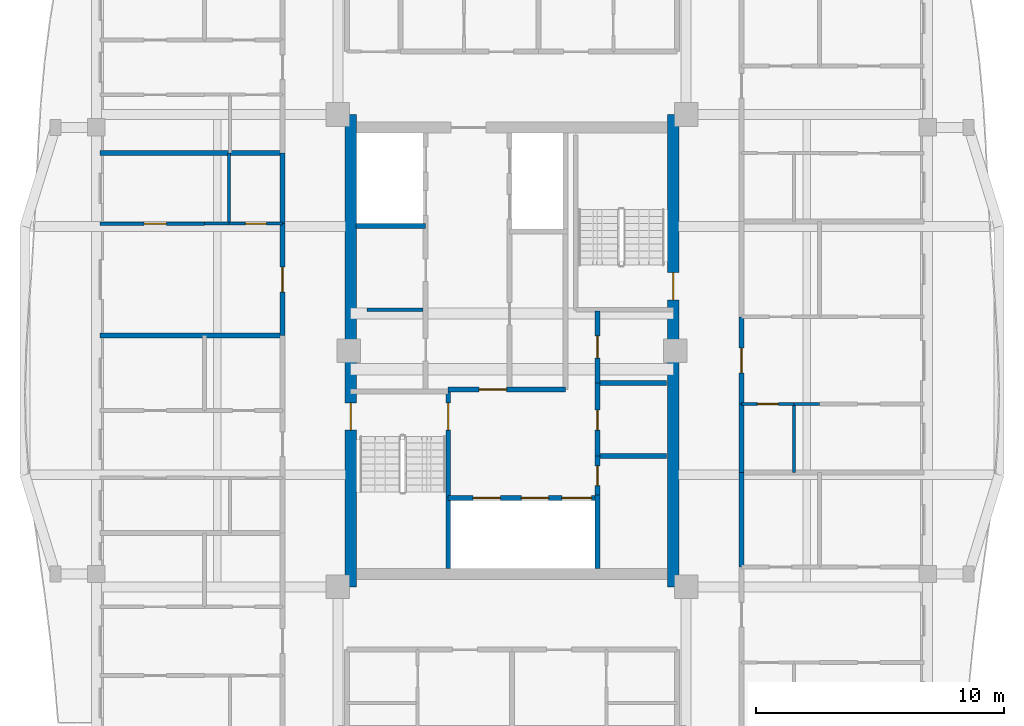
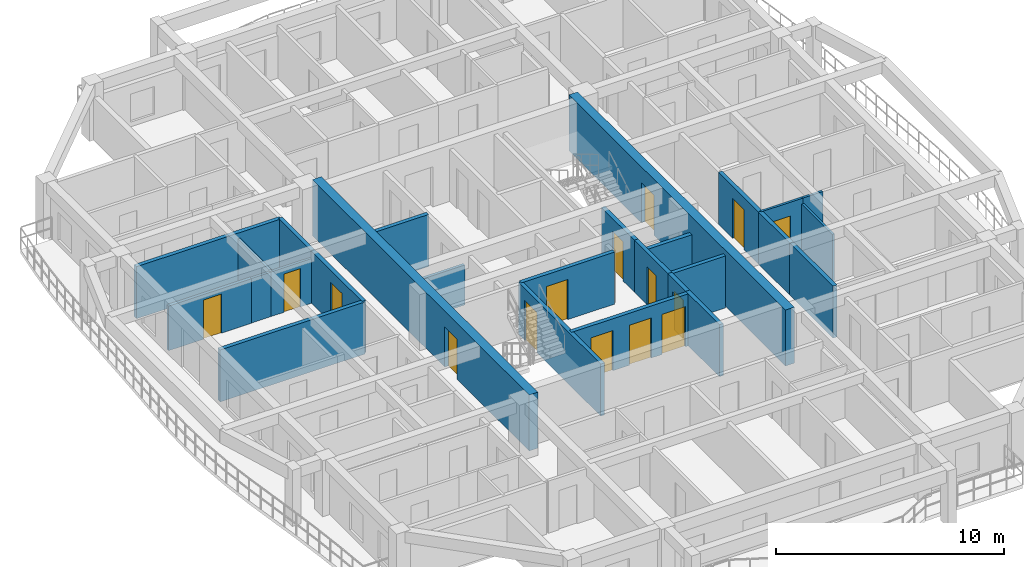
# One storey, part 4 of 14: 27 walls, 15 doors, 15 openings.
"""IFC4 building model written with IfcOpenShell, lengths in metres."""

import ifcopenshell
import ifcopenshell.guid

model = None  # the IFC model being written
_history = None  # IfcOwnerHistory: only IFC2X3 demands one
_inside = {}  # id of a spatial element -> (the spatial element, [elements in it])
_under = {}  # id of a project, library or spatial element -> (it, [spatial elements below it])
_declared = {}  # id of a project -> (the project, [libraries it declares])
_typed = {}  # id of a type object -> (the type object, [elements of that type])
_made_of = {}  # id of a material, layer set ... -> (it, [elements and type objects made of it])


def new_model(schema):
    """Start an empty IFC model of exactly this schema.

    Asked for "IFC4X3", IfcOpenShell would pick the latest addendum, in which some entities
    have other attributes; the version numbers below select the first issue.
    IFC2X3 requires an IfcOwnerHistory on every rooted entity: one is made here for all.
    """
    global model, _history
    if schema == "IFC4X3":
        model = ifcopenshell.file(schema_version=(4, 3, 0, 0))
    else:
        model = ifcopenshell.file(schema=schema)
    _inside.clear()
    _under.clear()
    _declared.clear()
    _typed.clear()
    _made_of.clear()
    _history = None
    if model.schema == "IFC2X3":
        org = make("IfcOrganization", Name="unknown")
        user = make(
            "IfcPersonAndOrganization",
            ThePerson=make("IfcPerson", FamilyName="unknown"),
            TheOrganization=org,
        )
        app = make(
            "IfcApplication",
            ApplicationDeveloper=org,
            Version="unknown",
            ApplicationFullName="unknown",
            ApplicationIdentifier="unknown",
        )
        _history = make(
            "IfcOwnerHistory",
            OwningUser=user,
            OwningApplication=app,
            ChangeAction="ADDED",
            CreationDate=0,
        )
    return model


def make(cls, **values):
    """One entity of the class cls with the attributes given. An attribute that is None is left unset."""
    return model.create_entity(
        cls, **{name: value for name, value in values.items() if value is not None}
    )


def rooted(cls, **values):
    """An entity with a GlobalId (a new one), such as an element, a storey or a relation."""
    return make(cls, GlobalId=ifcopenshell.guid.new(), OwnerHistory=_history, **values)


def si_unit(unit_type, name, prefix=None):
    """IfcSIUnit, for example si_unit("LENGTHUNIT", "METRE", prefix="MILLI")."""
    return make("IfcSIUnit", UnitType=unit_type, Prefix=prefix, Name=name)


def assignment(units):
    """IfcUnitAssignment: the units of a project."""
    return None if units is None else make("IfcUnitAssignment", Units=units)


def point(xyz):
    """IfcCartesianPoint."""
    return None if xyz is None else make("IfcCartesianPoint", Coordinates=xyz)


def direction(xyz):
    """IfcDirection."""
    return None if xyz is None else make("IfcDirection", DirectionRatios=xyz)


def frame(location, z_axis=None, x_axis=None):
    """IfcAxis2Placement3D, a coordinate frame: its origin and axes. An axis left out is left unset."""
    return make(
        "IfcAxis2Placement3D",
        Location=point(location),
        Axis=direction(z_axis),
        RefDirection=direction(x_axis),
    )


def frame_2d(location, x_axis=None):
    """IfcAxis2Placement2D, a coordinate frame in the plane: its origin and x axis."""
    return make(
        "IfcAxis2Placement2D", Location=point(location), RefDirection=direction(x_axis)
    )


def origin():
    """The frame at (0, 0, 0) with its axes left unset."""
    return frame((0.0, 0.0, 0.0))


def place(relative_to, where):
    """IfcLocalPlacement: puts the frame where relative to a parent placement (None: the world)."""
    return make(
        "IfcLocalPlacement", PlacementRelTo=relative_to, RelativePlacement=where
    )


def context(
    kind, dimensions, precision=None, world=None, true_north=None, identifier=None
):
    """IfcGeometricRepresentationContext, for example the 3D "Model" context."""
    return make(
        "IfcGeometricRepresentationContext",
        ContextIdentifier=identifier,
        ContextType=kind,
        CoordinateSpaceDimension=dimensions,
        Precision=precision,
        WorldCoordinateSystem=world,
        TrueNorth=true_north,
    )


def subcontext(parent, identifier, kind, view, scale=None):
    """IfcGeometricRepresentationSubContext, for example "Body" below "Model"."""
    return make(
        "IfcGeometricRepresentationSubContext",
        ContextIdentifier=identifier,
        ContextType=kind,
        ParentContext=parent,
        TargetScale=scale,
        TargetView=view,
    )


def project(units=None, contexts=None):
    """IfcProject with its units and contexts."""
    return rooted(
        "IfcProject",
        Name="project",
        RepresentationContexts=contexts,
        UnitsInContext=assignment(units),
    )


def spatial(cls, under=None, at=None, **own):
    """A site, building, storey or space (cls), placed at a placement, below another one or the project."""
    s = rooted(cls, ObjectPlacement=at, **own)
    if under is not None:
        _under.setdefault(under.id(), (under, []))[1].append(s)
    return s


def profile(cls, at=None, kind="AREA", **sizes):
    """A parametric profile (cls). Its sizes go by their IFC names, for example OverallWidth=200.0."""
    return make(cls, ProfileType=kind, Position=at, **sizes)


def rectangle(**sizes):
    """IfcRectangleProfileDef."""
    return profile("IfcRectangleProfileDef", **sizes)


def extrude(swept, where, along, depth):
    """IfcExtrudedAreaSolid: the profile swept, set in the frame where, extruded along a direction by depth."""
    return make(
        "IfcExtrudedAreaSolid",
        SweptArea=swept,
        Position=where,
        ExtrudedDirection=direction(along),
        Depth=depth,
    )


def shape(context_of_items, identifier, shape_type, items):
    """IfcShapeRepresentation: the items that make up one representation, for example the "Body"."""
    return make(
        "IfcShapeRepresentation",
        ContextOfItems=context_of_items,
        RepresentationIdentifier=identifier,
        RepresentationType=shape_type,
        Items=items,
    )


def source(mapping_origin, context_of_items, identifier, shape_type, items):
    """IfcRepresentationMap: a shape defined once, which mapped items show again and again."""
    return make(
        "IfcRepresentationMap",
        MappingOrigin=mapping_origin,
        MappedRepresentation=shape(context_of_items, identifier, shape_type, items),
    )


def transform(
    local_origin,
    x_axis=None,
    y_axis=None,
    z_axis=None,
    scale=None,
    scale2=None,
    scale3=None,
    uniform=True,
):
    """IfcCartesianTransformationOperator3D, or its non-uniform kind. x_axis, y_axis, z_axis: its Axis1, 2, 3."""
    if uniform:
        return make(
            "IfcCartesianTransformationOperator3D",
            Axis1=direction(x_axis),
            Axis2=direction(y_axis),
            LocalOrigin=point(local_origin),
            Scale=scale,
            Axis3=direction(z_axis),
        )
    return make(
        "IfcCartesianTransformationOperator3DnonUniform",
        Axis1=direction(x_axis),
        Axis2=direction(y_axis),
        LocalOrigin=point(local_origin),
        Scale=scale,
        Axis3=direction(z_axis),
        Scale2=scale2,
        Scale3=scale3,
    )


def mapped(mapping_source, mapping_target):
    """IfcMappedItem: shows the shape of a source again, moved by a transform."""
    return make(
        "IfcMappedItem", MappingSource=mapping_source, MappingTarget=mapping_target
    )


def material(Name=None, Category=None):
    """IfcMaterial."""
    return make("IfcMaterial", Name=Name, Category=Category)


def layer(
    of_material, thickness, ventilated=None, Name=None, Category=None, Priority=None
):
    """IfcMaterialLayer: one layer of a wall or slab, of a material (None: an air gap)."""
    return make(
        "IfcMaterialLayer",
        Material=of_material,
        LayerThickness=thickness,
        IsVentilated=ventilated,
        Name=Name,
        Category=Category,
        Priority=Priority,
    )


def layer_set(layers, Name=None):
    """IfcMaterialLayerSet."""
    return make("IfcMaterialLayerSet", MaterialLayers=layers, LayerSetName=Name)


def made_of(thing, what):
    """Note that an element or type object is made of a material, layer set ...; save() writes the relation."""
    if what is not None:
        _made_of.setdefault(what.id(), (what, []))[1].append(thing)
    return thing


def type_object(cls, material=None, **own):
    """A type object (cls), such as IfcWallType, which elements share."""
    return made_of(rooted(cls, **own), material)


def element(
    cls,
    number,
    at=None,
    inside=None,
    cuts=None,
    type_object=None,
    material=None,
    context=None,
    identifier="Body",
    shape_type=None,
    held_by="IfcProductDefinitionShape",
    body=None,
    shapes=None,
    **own,
):
    """One element of the class cls, such as IfcWall. Its Tag is "e" and its number.

    at: its placement. inside: the storey or other place that contains it. cuts: it is an
    opening in that element (IfcRelVoidsElement). A single representation is given by context,
    identifier, shape_type and body (its items); several are given by shapes. held_by: the class
    of the entity that holds the representations. save() writes the other relations.
    """
    e = rooted(cls, Tag="e%d" % number, ObjectPlacement=at, **own)
    if body is not None:
        shapes = [shape(context, identifier, shape_type, body)]
    if shapes is not None:
        e.Representation = make(held_by, Representations=shapes)
    if inside is not None:
        _inside.setdefault(inside.id(), (inside, []))[1].append(e)
    if cuts is not None:
        rooted(
            "IfcRelVoidsElement", RelatingBuildingElement=cuts, RelatedOpeningElement=e
        )
    if type_object is not None:
        _typed.setdefault(type_object.id(), (type_object, []))[1].append(e)
    return made_of(e, material)


def fill(opening, filler):
    """IfcRelFillsElement: the door or window that sits in an opening."""
    return rooted(
        "IfcRelFillsElement",
        RelatingOpeningElement=opening,
        RelatedBuildingElement=filler,
    )


def aggregate(whole, parts):
    """IfcRelAggregates: a whole, such as a stair, and the parts it consists of."""
    return rooted("IfcRelAggregates", RelatingObject=whole, RelatedObjects=parts)


def save(model, path):
    """Write the relations noted so far, then the file.

    IfcRelAggregates (storeys below a building ...), IfcRelContainedInSpatialStructure (elements
    in a storey), IfcRelDefinesByType, IfcRelAssociatesMaterial and IfcRelDeclares: one each for
    every whole, place, type object, material and project.
    """
    for whole, parts in _under.values():
        aggregate(whole, parts)
    for where, things in _inside.values():
        rooted(
            "IfcRelContainedInSpatialStructure",
            RelatedElements=things,
            RelatingStructure=where,
        )
    for kind, things in _typed.values():
        rooted("IfcRelDefinesByType", RelatedObjects=things, RelatingType=kind)
    for what, things in _made_of.values():
        rooted("IfcRelAssociatesMaterial", RelatedObjects=things, RelatingMaterial=what)
    for by, libraries in _declared.values():
        rooted("IfcRelDeclares", RelatingContext=by, RelatedDefinitions=libraries)
    model.write(path)


model = new_model("IFC4")

# Units and contexts
model_context = context("Model", 3, precision=1e-05, world=origin(), true_north=direction((0.0, 1.0)))
body_context = subcontext(model_context, "Body", "Model", "MODEL_VIEW")
ifc_project = project(units=[si_unit("LENGTHUNIT", "METRE"), si_unit("AREAUNIT", "SQUARE_METRE"), si_unit("VOLUMEUNIT", "CUBIC_METRE"), si_unit("PLANEANGLEUNIT", "RADIAN"), si_unit("MASSUNIT", "GRAM", prefix="KILO")], contexts=[model_context])

# Site, building, storey
site_placement = place(None, origin())
site = spatial("IfcSite", under=ifc_project, at=site_placement, CompositionType="ELEMENT")
building_placement = place(site_placement, origin())
building = spatial("IfcBuilding", under=site, at=building_placement, Name="Saelheon Loggia Tower", CompositionType="ELEMENT")
storey_placement = place(building_placement, frame((0.0, 0.0, 233.10009765625)))
storey = spatial("IfcBuildingStorey", under=building, at=storey_placement, Name="L72", CompositionType="ELEMENT", Elevation=233.10009765625)

# Wall, opening, door
ifc_material_1 = material(Name="Concrete C45/55", Category="concrete")
ifc_layer_1 = layer(ifc_material_1, 0.449951171875)
ifc_layer_set_1 = layer_set([ifc_layer_1], Name="Concrete C45/55")
wall_type_1 = type_object("IfcWallType", Name="Wall_CoreShear_450", PredefinedType="SHEAR", material=ifc_layer_set_1)
wall_1_placement = place(storey_placement, frame((31.5, 17.47998046875, 0.0), z_axis=(0.0, 0.0, 1.0), x_axis=(0.0, 1.0, 0.0)))
wall_1 = element("IfcWall", 1, at=wall_1_placement, inside=storey, type_object=wall_type_1, Name="L72 Core Shear Wall West", PredefinedType="SHEAR", context=body_context, shape_type="SweptSolid", body=[
    extrude(rectangle(XDim=19.0400390625, YDim=0.449951171875, at=frame_2d((9.52001953125, 0.0))), origin(), (0.0, 0.0, 1.0), 3.0),
])
opening_1_placement = place(wall_1_placement, frame((6.320068359375, 0.0, 0.0)))
opening_1 = element("IfcOpeningElement", 2, at=opening_1_placement, cuts=wall_1, Name="Opening D-FD2", PredefinedType="OPENING", context=body_context, shape_type="SweptSolid", body=[
    extrude(rectangle(XDim=1.10009765625, YDim=2.14990234375, at=frame_2d((0.550048828125, 1.074951171875))), frame((0.0, 0.237060546875, 0.0), z_axis=(0.0, -1.0, 0.0), x_axis=(1.0, 0.0, 0.0)), (0.0, 0.0, 1.0), 0.473876953125),
])
ifc_material_2 = material(Name="Galvanised Steel Fire Door", Category="steel")
door_type_1 = type_object("IfcDoorType", Name="Door_Fire_FD60_1100", OperationType="NOTDEFINED", PredefinedType="DOOR", material=ifc_material_2)
shared_shape_1 = source(origin(), body_context, "Body", "SweptSolid", [
    extrude(rectangle(XDim=1.10009765625, YDim=2.14990234375, at=frame_2d((0.550048828125, 1.074951171875))), frame((0.0, 0.02490234375, 0.0), z_axis=(0.0, -1.0, 0.0), x_axis=(1.0, 0.0, 0.0)), (0.0, 0.0, 1.0), 0.050048828125),
])
door_1_placement = place(opening_1_placement, origin())
door_1 = element("IfcDoor", 3, at=door_1_placement, inside=storey, type_object=door_type_1, Name="L72 Stair ST1 Corridor Door", OperationType="SINGLE_SWING_LEFT", OverallHeight=2.14990234375, OverallWidth=1.10009765625, PredefinedType="DOOR", context=body_context, shape_type="MappedRepresentation", body=[
    mapped(shared_shape_1, transform((0.0, 0.0, 0.0), scale=1.0)),
])
fill(opening_1, door_1)

wall_2_placement = place(storey_placement, frame((44.5, 17.47998046875, 0.0), z_axis=(0.0, 0.0, 1.0), x_axis=(0.0, 1.0, 0.0)))
wall_2 = element("IfcWall", 4, at=wall_2_placement, inside=storey, type_object=wall_type_1, Name="L72 Core Shear Wall East", PredefinedType="SHEAR", context=body_context, shape_type="SweptSolid", body=[
    extrude(rectangle(XDim=19.0400390625, YDim=0.449951171875, at=frame_2d((9.52001953125, 0.0))), origin(), (0.0, 0.0, 1.0), 3.0),
])
opening_2_placement = place(wall_2_placement, frame((12.670166015625, 0.0, 0.0), z_axis=(0.0, 0.0, 1.0), x_axis=(-1.0, 0.0, 0.0)))
opening_2 = element("IfcOpeningElement", 5, at=opening_2_placement, cuts=wall_2, Name="Opening D-FD2", PredefinedType="OPENING", context=body_context, shape_type="SweptSolid", body=[
    extrude(rectangle(XDim=1.10009765625, YDim=2.14990234375, at=frame_2d((0.550048828125, 1.074951171875))), frame((0.0, 0.237060546875, 0.0), z_axis=(0.0, -1.0, 0.0), x_axis=(1.0, 0.0, 0.0)), (0.0, 0.0, 1.0), 0.473876953125),
])
door_2_placement = place(opening_2_placement, origin())
door_2 = element("IfcDoor", 6, at=door_2_placement, inside=storey, type_object=door_type_1, Name="L72 Stair ST2 Corridor Door", OperationType="SINGLE_SWING_RIGHT", OverallHeight=2.14990234375, OverallWidth=1.10009765625, PredefinedType="DOOR", context=body_context, shape_type="MappedRepresentation", body=[
    mapped(shared_shape_1, transform((0.0, 0.0, 0.0), scale=1.0)),
])
fill(opening_2, door_2)

# Wall
ifc_material_3 = material(Name="Lightweight Autoclaved Aerated Concrete Block and Acoustic Gypsum", Category="concrete")
ifc_layer_2 = layer(ifc_material_3, 0.14990234375)
ifc_layer_set_2 = layer_set([ifc_layer_2], Name="Lightweight Autoclaved Aerated Concrete Block and Acoustic Gypsum")
wall_type_2 = type_object("IfcWallType", Name="Wall_Part_150", PredefinedType="PARTITIONING", material=ifc_layer_set_2)
wall_3_placement = place(storey_placement, frame((32.14990234375, 28.64990234375, 0.0), z_axis=(0.0, 0.0, 1.0), x_axis=(1.0, 0.0, 0.0)))
element("IfcWall", 7, at=wall_3_placement, inside=storey, type_object=wall_type_2, Name="L72 Freed Core Partition PL", PredefinedType="PARTITIONING", context=body_context, shape_type="SweptSolid", body=[
    extrude(rectangle(XDim=2.27001953125, YDim=0.14990234375, at=frame_2d((1.135009765625, 0.0))), origin(), (0.0, 0.0, 1.0), 2.139892578125),
])

# Wall, opening, door
wall_4_placement = place(storey_placement, frame((25.610107421875, 32.116455078125, 0.0), z_axis=(0.0, 0.0, 1.0), x_axis=(-1.0, 0.0, 0.0)))
wall_4 = element("IfcWall", 8, at=wall_4_placement, inside=storey, type_object=wall_type_2, Name="L72 W Partition U30", PredefinedType="PARTITIONING", context=body_context, shape_type="SweptSolid", body=[
    extrude(rectangle(XDim=4.210205078125, YDim=0.14990234375, at=frame_2d((2.10498046875, 0.0))), origin(), (0.0, 0.0, 1.0), 2.389892578125),
])
opening_3_placement = place(wall_4_placement, frame((1.537109375, 0.0, 0.0)))
opening_3 = element("IfcOpeningElement", 9, at=opening_3_placement, cuts=wall_4, Name="Opening D-IN2", PredefinedType="OPENING", context=body_context, shape_type="SweptSolid", body=[
    extrude(rectangle(XDim=0.89990234375, YDim=2.10009765625, at=frame_2d((0.449951171875, 1.050048828125))), frame((0.0, 0.0869140625, 0.0), z_axis=(0.0, -1.0, 0.0), x_axis=(1.0, 0.0, 0.0)), (0.0, 0.0, 1.0), 0.173828125),
])
ifc_material_4 = material(Name="Engineered Oak Flush Door", Category="timber")
door_type_2 = type_object("IfcDoorType", Name="Door_Int_900", OperationType="NOTDEFINED", PredefinedType="DOOR", material=ifc_material_4)
shared_shape_2 = source(origin(), body_context, "Body", "SweptSolid", [
    extrude(rectangle(XDim=0.89990234375, YDim=2.10009765625, at=frame_2d((0.449951171875, 1.050048828125))), frame((0.0, 0.02490234375, 0.0), z_axis=(0.0, -1.0, 0.0), x_axis=(1.0, 0.0, 0.0)), (0.0, 0.0, 1.0), 0.050048828125),
])
door_3_placement = place(opening_3_placement, origin())
door_3 = element("IfcDoor", 10, at=door_3_placement, inside=storey, type_object=door_type_2, Name="Unit U07 Kitchen Door", OperationType="SINGLE_SWING_RIGHT", OverallHeight=2.10009765625, OverallWidth=0.89990234375, PredefinedType="DOOR", context=body_context, shape_type="MappedRepresentation", body=[
    mapped(shared_shape_2, transform((0.0, 0.0, 0.0), scale=1.0)),
])
fill(opening_3, door_3)

# Wall
ifc_material_5 = material(Name="Double Acoustic Stud and Fireboard Partition", Category="gypsum")
ifc_layer_3 = layer(ifc_material_5, 0.199951171875)
ifc_layer_set_3 = layer_set([ifc_layer_3], Name="Double Acoustic Stud and Fireboard Partition")
wall_type_3 = type_object("IfcWallType", Name="Wall_Party_200", PredefinedType="PARTITIONING", material=ifc_layer_set_3)
wall_5_placement = place(storey_placement, frame((28.75, 27.61279296875, 0.0), z_axis=(0.0, 0.0, 1.0), x_axis=(-1.0, 0.0, 0.0)))
element("IfcWall", 11, at=wall_5_placement, inside=storey, type_object=wall_type_3, Name="L72 W Partition U24", PredefinedType="PARTITIONING", context=body_context, shape_type="SweptSolid", body=[
    extrude(rectangle(XDim=7.35009765625, YDim=0.199951171875, at=frame_2d((3.675048828125, 0.0))), origin(), (0.0, 0.0, 1.0), 2.789794921875),
])

# Wall, opening, door
wall_6_placement = place(storey_placement, frame((28.75, 27.61279296875, 0.0), z_axis=(0.0, 0.0, 1.0), x_axis=(0.0, 1.0, 0.0)))
wall_6 = element("IfcWall", 12, at=wall_6_placement, inside=storey, type_object=wall_type_3, Name="L72 W Partition V25", PredefinedType="PARTITIONING", context=body_context, shape_type="SweptSolid", body=[
    extrude(rectangle(XDim=4.503662109375, YDim=0.199951171875, at=frame_2d((2.251953125, 0.0))), origin(), (0.0, 0.0, 1.0), 2.789794921875),
])
opening_4_placement = place(wall_6_placement, frame((1.751708984375, 0.0, 0.0)))
opening_4 = element("IfcOpeningElement", 13, at=opening_4_placement, cuts=wall_6, Name="Opening D-FD1", PredefinedType="OPENING", context=body_context, shape_type="SweptSolid", body=[
    extrude(rectangle(XDim=1.0, YDim=2.14990234375, at=frame_2d((0.5, 1.074951171875))), frame((0.0, 0.112060546875, 0.0), z_axis=(0.0, -1.0, 0.0), x_axis=(1.0, 0.0, 0.0)), (0.0, 0.0, 1.0), 0.223876953125),
])
ifc_material_6 = material(Name="Fire-Rated Engineered Timber Entrance Door", Category="wood")
door_type_3 = type_object("IfcDoorType", Name="Door_Flat_FD30S", OperationType="NOTDEFINED", PredefinedType="DOOR", material=ifc_material_6)
shared_shape_3 = source(origin(), body_context, "Body", "SweptSolid", [
    extrude(rectangle(XDim=1.0, YDim=2.14990234375, at=frame_2d((0.5, 1.074951171875))), frame((0.0, 0.02490234375, 0.0), z_axis=(0.0, -1.0, 0.0), x_axis=(1.0, 0.0, 0.0)), (0.0, 0.0, 1.0), 0.050048828125),
])
door_4_placement = place(opening_4_placement, origin())
door_4 = element("IfcDoor", 14, at=door_4_placement, inside=storey, type_object=door_type_3, Name="Unit U07 Entrance Door", OperationType="SINGLE_SWING_RIGHT", OverallHeight=2.14990234375, OverallWidth=1.0, PredefinedType="DOOR", context=body_context, shape_type="MappedRepresentation", body=[
    mapped(shared_shape_3, transform((0.0, 0.0, 0.0), scale=1.0)),
])
fill(opening_4, door_4)

# Walls
wall_7_placement = place(storey_placement, frame((28.75, 32.116455078125, 0.0), z_axis=(0.0, 0.0, 1.0), x_axis=(0.0, 1.0, 0.0)))
element("IfcWall", 15, at=wall_7_placement, inside=storey, type_object=wall_type_3, Name="L72 W Partition V26", PredefinedType="PARTITIONING", context=body_context, shape_type="SweptSolid", body=[
    extrude(rectangle(XDim=2.849853515625, YDim=0.199951171875, at=frame_2d((1.4248046875, 0.0))), origin(), (0.0, 0.0, 1.0), 2.789794921875),
])
wall_8_placement = place(storey_placement, frame((28.75, 34.96630859375, 0.0), z_axis=(0.0, 0.0, 1.0), x_axis=(-1.0, 0.0, 0.0)))
element("IfcWall", 16, at=wall_8_placement, inside=storey, type_object=wall_type_3, Name="L72 W Partition U31", PredefinedType="PARTITIONING", context=body_context, shape_type="SweptSolid", body=[
    extrude(rectangle(XDim=7.35009765625, YDim=0.199951171875, at=frame_2d((3.675048828125, 0.0))), origin(), (0.0, 0.0, 1.0), 2.789794921875),
])
wall_9_placement = place(storey_placement, frame((47.25, 18.280029296875, 0.0), z_axis=(0.0, 0.0, 1.0), x_axis=(0.0, 1.0, 0.0)))
element("IfcWall", 17, at=wall_9_placement, inside=storey, type_object=wall_type_3, Name="L72 E Partition V05", PredefinedType="PARTITIONING", context=body_context, shape_type="SweptSolid", body=[
    extrude(rectangle(XDim=3.817626953125, YDim=0.199951171875, at=frame_2d((1.90869140625, 0.0))), origin(), (0.0, 0.0, 1.0), 2.789794921875),
])
wall_10_placement = place(storey_placement, frame((47.25, 22.09765625, 0.0), z_axis=(0.0, 0.0, 1.0), x_axis=(0.0, 1.0, 0.0)))
element("IfcWall", 18, at=wall_10_placement, inside=storey, type_object=wall_type_3, Name="L72 E Partition V14", PredefinedType="PARTITIONING", context=body_context, shape_type="SweptSolid", body=[
    extrude(rectangle(XDim=2.75, YDim=0.199951171875, at=frame_2d((1.375, 0.0))), origin(), (0.0, 0.0, 1.0), 2.789794921875),
])

# Wall, opening, door
wall_11_placement = place(storey_placement, frame((47.25, 24.84765625, 0.0), z_axis=(0.0, 0.0, 1.0), x_axis=(0.0, 1.0, 0.0)))
wall_11 = element("IfcWall", 19, at=wall_11_placement, inside=storey, type_object=wall_type_3, Name="L72 E Partition V15", PredefinedType="PARTITIONING", context=body_context, shape_type="SweptSolid", body=[
    extrude(rectangle(XDim=3.518798828125, YDim=0.199951171875, at=frame_2d((1.75927734375, 0.0))), origin(), (0.0, 0.0, 1.0), 2.789794921875),
])
opening_5_placement = place(wall_11_placement, frame((1.259521484375, 0.0, 0.0)))
opening_5 = element("IfcOpeningElement", 20, at=opening_5_placement, cuts=wall_11, Name="Opening D-FD1", PredefinedType="OPENING", context=body_context, shape_type="SweptSolid", body=[
    extrude(rectangle(XDim=1.0, YDim=2.14990234375, at=frame_2d((0.5, 1.074951171875))), frame((0.0, 0.112060546875, 0.0), z_axis=(0.0, -1.0, 0.0), x_axis=(1.0, 0.0, 0.0)), (0.0, 0.0, 1.0), 0.223876953125),
])
door_5_placement = place(opening_5_placement, origin())
door_5 = element("IfcDoor", 21, at=door_5_placement, inside=storey, type_object=door_type_3, Name="Unit U10 Entrance Door", OperationType="SINGLE_SWING_LEFT", OverallHeight=2.14990234375, OverallWidth=1.0, PredefinedType="DOOR", context=body_context, shape_type="MappedRepresentation", body=[
    mapped(shared_shape_3, transform((0.0, 0.0, 0.0), scale=1.0)),
])
fill(opening_5, door_5)

# Walls
ifc_material_7 = material(Name="Concrete C40/50", Category="concrete")
ifc_layer_4 = layer(ifc_material_7, 0.199951171875)
ifc_layer_set_4 = layer_set([ifc_layer_4], Name="Concrete C40/50")
wall_type_4 = type_object("IfcWallType", Name="Wall_Shaft_200", PredefinedType="PARTITIONING", material=ifc_layer_set_4)
wall_12_placement = place(storey_placement, frame((41.550048828125, 22.75, 0.0), z_axis=(0.0, 0.0, 1.0), x_axis=(1.0, 0.0, 0.0)))
element("IfcWall", 22, at=wall_12_placement, inside=storey, type_object=wall_type_4, Name="CW-BOH-L72-H1", PredefinedType="PARTITIONING", context=body_context, shape_type="SweptSolid", body=[
    extrude(rectangle(XDim=2.669921875, YDim=0.199951171875, at=frame_2d((1.3349609375, 0.0))), origin(), (0.0, 0.0, 1.0), 2.789794921875),
])
wall_13_placement = place(storey_placement, frame((41.550048828125, 25.699951171875, 0.0), z_axis=(0.0, 0.0, 1.0), x_axis=(1.0, 0.0, 0.0)))
element("IfcWall", 23, at=wall_13_placement, inside=storey, type_object=wall_type_4, Name="CW-BOH-L72-H2", PredefinedType="PARTITIONING", context=body_context, shape_type="SweptSolid", body=[
    extrude(rectangle(XDim=2.669921875, YDim=0.199951171875, at=frame_2d((1.3349609375, 0.0))), origin(), (0.0, 0.0, 1.0), 2.139892578125),
])
wall_14_placement = place(storey_placement, frame((41.449951171875, 18.219970703125, 0.0), z_axis=(0.0, 0.0, 1.0), x_axis=(0.0, 1.0, 0.0)))
element("IfcWall", 24, at=wall_14_placement, inside=storey, type_object=wall_type_4, Name="CW-INT-L72-BOH-W0", PredefinedType="PARTITIONING", context=body_context, shape_type="SweptSolid", body=[
    extrude(rectangle(XDim=2.9599609375, YDim=0.199951171875, at=frame_2d((1.47998046875, 0.0))), origin(), (0.0, 0.0, 1.0), 2.789794921875),
])

# Wall, opening, door
wall_15_placement = place(storey_placement, frame((41.449951171875, 21.179931640625, 0.0), z_axis=(0.0, 0.0, 1.0), x_axis=(0.0, 1.0, 0.0)))
wall_15 = element("IfcWall", 25, at=wall_15_placement, inside=storey, type_object=wall_type_4, Name="CW-INT-L72-BOH-W1", PredefinedType="PARTITIONING", context=body_context, shape_type="SweptSolid", body=[
    extrude(rectangle(XDim=1.570068359375, YDim=0.199951171875, at=frame_2d((0.78515625, 0.0))), origin(), (0.0, 0.0, 1.0), 2.789794921875),
])
opening_6_placement = place(wall_15_placement, frame((0.3798828125, 0.0, 0.0)))
opening_6 = element("IfcOpeningElement", 26, at=opening_6_placement, cuts=wall_15, Name="Opening D-ST1", PredefinedType="OPENING", context=body_context, shape_type="SweptSolid", body=[
    extrude(rectangle(XDim=0.800048828125, YDim=2.050048828125, at=frame_2d((0.39990234375, 1.02490234375))), frame((0.0, 0.112060546875, 0.0), z_axis=(0.0, -1.0, 0.0), x_axis=(1.0, 0.0, 0.0)), (0.0, 0.0, 1.0), 0.223876953125),
])
ifc_material_8 = material(Name="Powder-Coated Steel Store Door", Category="steel")
door_type_4 = type_object("IfcDoorType", Name="Door_Store_800", OperationType="NOTDEFINED", PredefinedType="DOOR", material=ifc_material_8)
shared_shape_4 = source(origin(), body_context, "Body", "SweptSolid", [
    extrude(rectangle(XDim=0.800048828125, YDim=2.050048828125, at=frame_2d((0.39990234375, 1.02490234375))), frame((0.0, 0.02490234375, 0.0), z_axis=(0.0, -1.0, 0.0), x_axis=(1.0, 0.0, 0.0)), (0.0, 0.0, 1.0), 0.050048828125),
])
door_6_placement = place(opening_6_placement, origin())
door_6 = element("IfcDoor", 27, at=door_6_placement, inside=storey, type_object=door_type_4, Name="L72 Cleaner Store Door", OperationType="SINGLE_SWING_LEFT", OverallHeight=2.050048828125, OverallWidth=0.800048828125, PredefinedType="DOOR", context=body_context, shape_type="MappedRepresentation", body=[
    mapped(shared_shape_4, transform((0.0, 0.0, 0.0), scale=1.0)),
])
fill(opening_6, door_6)

wall_16_placement = place(storey_placement, frame((41.449951171875, 22.75, 0.0), z_axis=(0.0, 0.0, 1.0), x_axis=(0.0, 1.0, 0.0)))
wall_16 = element("IfcWall", 28, at=wall_16_placement, inside=storey, type_object=wall_type_4, Name="CW-INT-L72-BOH-W2", PredefinedType="PARTITIONING", context=body_context, shape_type="SweptSolid", body=[
    extrude(rectangle(XDim=2.949951171875, YDim=0.199951171875, at=frame_2d((1.47509765625, 0.0))), origin(), (0.0, 0.0, 1.0), 2.789794921875),
])
opening_7_placement = place(wall_16_placement, frame((1.050048828125, 0.0, 0.0)))
opening_7 = element("IfcOpeningElement", 29, at=opening_7_placement, cuts=wall_16, Name="Opening D-ST1", PredefinedType="OPENING", context=body_context, shape_type="SweptSolid", body=[
    extrude(rectangle(XDim=0.800048828125, YDim=2.050048828125, at=frame_2d((0.39990234375, 1.02490234375))), frame((0.0, 0.112060546875, 0.0), z_axis=(0.0, -1.0, 0.0), x_axis=(1.0, 0.0, 0.0)), (0.0, 0.0, 1.0), 0.223876953125),
])
door_7_placement = place(opening_7_placement, origin())
door_7 = element("IfcDoor", 30, at=door_7_placement, inside=storey, type_object=door_type_4, Name="L72 Electrical Riser Door", OperationType="SINGLE_SWING_RIGHT", OverallHeight=2.050048828125, OverallWidth=0.800048828125, PredefinedType="DOOR", context=body_context, shape_type="MappedRepresentation", body=[
    mapped(shared_shape_4, transform((0.0, 0.0, 0.0), scale=1.0)),
])
fill(opening_7, door_7)

wall_17_placement = place(storey_placement, frame((41.449951171875, 25.699951171875, 0.0), z_axis=(0.0, 0.0, 1.0), x_axis=(0.0, 1.0, 0.0)))
wall_17 = element("IfcWall", 31, at=wall_17_placement, inside=storey, type_object=wall_type_4, Name="CW-INT-L72-BOH-W3", PredefinedType="PARTITIONING", context=body_context, shape_type="SweptSolid", body=[
    extrude(rectangle(XDim=2.900146484375, YDim=0.199951171875, at=frame_2d((1.4501953125, 0.0))), origin(), (0.0, 0.0, 1.0), 2.789794921875),
])
opening_8_placement = place(wall_17_placement, frame((1.0, 0.0, 0.0)))
opening_8 = element("IfcOpeningElement", 32, at=opening_8_placement, cuts=wall_17, Name="Opening D-RS1", PredefinedType="OPENING", context=body_context, shape_type="SweptSolid", body=[
    extrude(rectangle(XDim=0.89990234375, YDim=2.10009765625, at=frame_2d((0.449951171875, 1.050048828125))), frame((0.0, 0.112060546875, 0.0), z_axis=(0.0, -1.0, 0.0), x_axis=(1.0, 0.0, 0.0)), (0.0, 0.0, 1.0), 0.223876953125),
])
ifc_material_9 = material(Name="Galvanised Steel Riser Access Door", Category="steel")
door_type_5 = type_object("IfcDoorType", Name="Door_Riser_FD60", OperationType="NOTDEFINED", PredefinedType="DOOR", material=ifc_material_9)
door_8_placement = place(opening_8_placement, origin())
door_8 = element("IfcDoor", 33, at=door_8_placement, inside=storey, type_object=door_type_5, Name="L72 Floor IT Room Door", OperationType="SINGLE_SWING_LEFT", OverallHeight=2.10009765625, OverallWidth=0.89990234375, PredefinedType="DOOR", context=body_context, shape_type="MappedRepresentation", body=[
    mapped(shared_shape_2, transform((0.0, 0.0, 0.0), scale=1.0)),
])
fill(opening_8, door_8)

# Wall, openings, doors
wall_18_placement = place(storey_placement, frame((35.429931640625, 21.06005859375, 0.0), z_axis=(0.0, 0.0, 1.0), x_axis=(1.0, 0.0, 0.0)))
wall_18 = element("IfcWall", 34, at=wall_18_placement, inside=storey, type_object=wall_type_4, Name="L72 Firefighting Lift Shaft Front Wall", PredefinedType="PARTITIONING", context=body_context, shape_type="SweptSolid", body=[
    extrude(rectangle(XDim=6.02001953125, YDim=0.199951171875, at=frame_2d((3.010009765625, 0.0))), origin(), (0.0, 0.0, 1.0), 2.789794921875),
])
opening_9_placement = place(wall_18_placement, frame((1.0, 0.0, 0.0)))
opening_9 = element("IfcOpeningElement", 35, at=opening_9_placement, cuts=wall_18, Name="Opening LD2", PredefinedType="OPENING", context=body_context, shape_type="SweptSolid", body=[
    extrude(rectangle(XDim=1.10009765625, YDim=2.14990234375, at=frame_2d((0.550048828125, 1.074951171875))), frame((0.0, 0.112060546875, 0.0), z_axis=(0.0, -1.0, 0.0), x_axis=(1.0, 0.0, 0.0)), (0.0, 0.0, 1.0), 0.223876953125),
])
opening_10_placement = place(wall_18_placement, frame((2.949951171875, 0.0, 0.0)))
opening_10 = element("IfcOpeningElement", 36, at=opening_10_placement, cuts=wall_18, Name="Opening LD2", PredefinedType="OPENING", context=body_context, shape_type="SweptSolid", body=[
    extrude(rectangle(XDim=1.10009765625, YDim=2.14990234375, at=frame_2d((0.550048828125, 1.074951171875))), frame((0.0, 0.112060546875, 0.0), z_axis=(0.0, -1.0, 0.0), x_axis=(1.0, 0.0, 0.0)), (0.0, 0.0, 1.0), 0.223876953125),
])
opening_11_placement = place(wall_18_placement, frame((4.580078125, 0.0, 0.0)))
opening_11 = element("IfcOpeningElement", 37, at=opening_11_placement, cuts=wall_18, Name="Opening LD3", PredefinedType="OPENING", context=body_context, shape_type="SweptSolid", body=[
    extrude(rectangle(XDim=1.199951171875, YDim=2.14990234375, at=frame_2d((0.60009765625, 1.074951171875))), frame((0.0, 0.112060546875, 0.0), z_axis=(0.0, -1.0, 0.0), x_axis=(1.0, 0.0, 0.0)), (0.0, 0.0, 1.0), 0.223876953125),
])
ifc_material_10 = material(Name="Firefighting Stainless Steel 316 Landing Door", Category="steel")
door_type_6 = type_object("IfcDoorType", Name="Door_Lift_LD2", OperationType="DOUBLE_DOOR_SLIDING", PredefinedType="DOOR", material=ifc_material_10)
door_9_placement = place(opening_9_placement, origin())
door_9 = element("IfcDoor", 38, at=door_9_placement, inside=storey, type_object=door_type_6, Name="L72 FF1 Landing Door", OperationType="DOUBLE_DOOR_SLIDING", OverallHeight=2.14990234375, OverallWidth=1.10009765625, PredefinedType="DOOR", context=body_context, shape_type="MappedRepresentation", body=[
    mapped(shared_shape_1, transform((0.0, 0.0, 0.0), scale=1.0)),
])
fill(opening_9, door_9)
door_10_placement = place(opening_10_placement, origin())
door_10 = element("IfcDoor", 39, at=door_10_placement, inside=storey, type_object=door_type_6, Name="L72 FF2 Landing Door", OperationType="DOUBLE_DOOR_SLIDING", OverallHeight=2.14990234375, OverallWidth=1.10009765625, PredefinedType="DOOR", context=body_context, shape_type="MappedRepresentation", body=[
    mapped(shared_shape_1, transform((0.0, 0.0, 0.0), scale=1.0)),
])
fill(opening_10, door_10)
ifc_material_11 = material(Name="Stretcher Lift Stainless Steel 304 Landing Door", Category="steel")
door_type_7 = type_object("IfcDoorType", Name="Door_Lift_LD3", OperationType="DOUBLE_DOOR_SLIDING", PredefinedType="DOOR", material=ifc_material_11)
shared_shape_5 = source(origin(), body_context, "Body", "SweptSolid", [
    extrude(rectangle(XDim=1.199951171875, YDim=2.14990234375, at=frame_2d((0.60009765625, 1.074951171875))), frame((0.0, 0.02490234375, 0.0), z_axis=(0.0, -1.0, 0.0), x_axis=(1.0, 0.0, 0.0)), (0.0, 0.0, 1.0), 0.050048828125),
])
door_11_placement = place(opening_11_placement, origin())
door_11 = element("IfcDoor", 40, at=door_11_placement, inside=storey, type_object=door_type_7, Name="L72 SV1 Landing Door", OperationType="DOUBLE_DOOR_SLIDING", OverallHeight=2.14990234375, OverallWidth=1.199951171875, PredefinedType="DOOR", context=body_context, shape_type="MappedRepresentation", body=[
    mapped(shared_shape_5, transform((0.0, 0.0, 0.0), scale=1.0)),
])
fill(opening_11, door_11)

# Wall, opening, door
wall_19_placement = place(storey_placement, frame((35.429931640625, 25.43994140625, 0.0), z_axis=(0.0, 0.0, 1.0), x_axis=(1.0, 0.0, 0.0)))
wall_19 = element("IfcWall", 41, at=wall_19_placement, inside=storey, type_object=wall_type_4, Name="L72 Firefighting Lobby Compartment Wall", PredefinedType="PARTITIONING", context=body_context, shape_type="SweptSolid", body=[
    extrude(rectangle(XDim=4.719970703125, YDim=0.199951171875, at=frame_2d((2.35986328125, 0.0))), origin(), (0.0, 0.0, 1.0), 2.789794921875),
])
opening_12_placement = place(wall_19_placement, frame((1.25, 0.0, 0.0)))
opening_12 = element("IfcOpeningElement", 42, at=opening_12_placement, cuts=wall_19, Name="Opening D-FD2", PredefinedType="OPENING", context=body_context, shape_type="SweptSolid", body=[
    extrude(rectangle(XDim=1.10009765625, YDim=2.14990234375, at=frame_2d((0.550048828125, 1.074951171875))), frame((0.0, 0.112060546875, 0.0), z_axis=(0.0, -1.0, 0.0), x_axis=(1.0, 0.0, 0.0)), (0.0, 0.0, 1.0), 0.223876953125),
])
door_12_placement = place(opening_12_placement, origin())
door_12 = element("IfcDoor", 43, at=door_12_placement, inside=storey, type_object=door_type_1, Name="L72 Firefighting Lobby Door", OperationType="SINGLE_SWING_RIGHT", OverallHeight=2.14990234375, OverallWidth=1.10009765625, PredefinedType="DOOR", context=body_context, shape_type="MappedRepresentation", body=[
    mapped(shared_shape_1, transform((0.0, 0.0, 0.0), scale=1.0)),
])
fill(opening_12, door_12)

# Wall
wall_20_placement = place(storey_placement, frame((31.719970703125, 32.02001953125, 0.0), z_axis=(0.0, 0.0, 1.0), x_axis=(1.0, 0.0, 0.0)))
element("IfcWall", 44, at=wall_20_placement, inside=storey, type_object=wall_type_4, Name="L72 West High-Rise Shaft Divider", PredefinedType="PARTITIONING", context=body_context, shape_type="SweptSolid", body=[
    extrude(rectangle(XDim=2.800048828125, YDim=0.199951171875, at=frame_2d((1.39990234375, 0.0))), origin(), (0.0, 0.0, 1.0), 2.789794921875),
])

# Wall, opening, door
ifc_layer_5 = layer(ifc_material_1, 0.199951171875)
ifc_layer_set_5 = layer_set([ifc_layer_5], Name="Concrete C45/55")
wall_type_5 = type_object("IfcWallType", Name="Wall_StairShaft_RC200", PredefinedType="SOLIDWALL", material=ifc_layer_set_5)
wall_21_placement = place(storey_placement, frame((35.429931640625, 18.219970703125, 0.0), z_axis=(0.0, 0.0, 1.0), x_axis=(0.0, 1.0, 0.0)))
wall_21 = element("IfcWall", 45, at=wall_21_placement, inside=storey, type_object=wall_type_5, Name="L72 Stair ST1 Shaft Wall", PredefinedType="SOLIDWALL", context=body_context, shape_type="SweptSolid", body=[
    extrude(rectangle(XDim=7.219970703125, YDim=0.199951171875, at=frame_2d((3.60986328125, 0.0))), origin(), (0.0, 0.0, 1.0), 2.789794921875),
])
opening_13_placement = place(wall_21_placement, frame((6.68017578125, 0.0, 0.0), z_axis=(0.0, 0.0, 1.0), x_axis=(-1.0, 0.0, 0.0)))
opening_13 = element("IfcOpeningElement", 46, at=opening_13_placement, cuts=wall_21, Name="Opening D-FD2", PredefinedType="OPENING", context=body_context, shape_type="SweptSolid", body=[
    extrude(rectangle(XDim=1.10009765625, YDim=2.14990234375, at=frame_2d((0.550048828125, 1.074951171875))), frame((0.0, 0.112060546875, 0.0), z_axis=(0.0, -1.0, 0.0), x_axis=(1.0, 0.0, 0.0)), (0.0, 0.0, 1.0), 0.223876953125),
])
door_13_placement = place(opening_13_placement, origin())
door_13 = element("IfcDoor", 47, at=door_13_placement, inside=storey, type_object=door_type_1, Name="L72 Stair ST1 Lobby Door", OperationType="SINGLE_SWING_LEFT", OverallHeight=2.14990234375, OverallWidth=1.10009765625, PredefinedType="DOOR", context=body_context, shape_type="MappedRepresentation", body=[
    mapped(shared_shape_1, transform((0.0, 0.0, 0.0), scale=1.0)),
])
fill(opening_13, door_13)

ifc_material_12 = material(Name="Moisture-Resistant Cement Board Partition", Category="gypsum")
ifc_layer_6 = layer(ifc_material_12, 0.1201171875)
ifc_layer_set_6 = layer_set([ifc_layer_6], Name="Moisture-Resistant Cement Board Partition")
wall_type_6 = type_object("IfcWallType", Name="Wall_WetPart_120", PredefinedType="PARTITIONING", material=ifc_layer_set_6)
wall_22_placement = place(storey_placement, frame((28.75, 32.116455078125, 0.0), z_axis=(0.0, 0.0, 1.0), x_axis=(-1.0, 0.0, 0.0)))
wall_22 = element("IfcWall", 48, at=wall_22_placement, inside=storey, type_object=wall_type_6, Name="L72 W Partition U27", PredefinedType="PARTITIONING", context=body_context, shape_type="SweptSolid", body=[
    extrude(rectangle(XDim=2.14990234375, YDim=0.1201171875, at=frame_2d((1.074951171875, 0.0))), origin(), (0.0, 0.0, 1.0), 2.389892578125),
])
opening_14_placement = place(wall_22_placement, frame((0.64990234375, 0.0, 0.0)))
opening_14 = element("IfcOpeningElement", 49, at=opening_14_placement, cuts=wall_22, Name="Opening D-BT1", PredefinedType="OPENING", context=body_context, shape_type="SweptSolid", body=[
    extrude(rectangle(XDim=0.85009765625, YDim=2.050048828125, at=frame_2d((0.425048828125, 1.02490234375))), frame((0.0, 0.072021484375, 0.0), z_axis=(0.0, -1.0, 0.0), x_axis=(1.0, 0.0, 0.0)), (0.0, 0.0, 1.0), 0.14404296875),
])
ifc_material_13 = material(Name="Moisture-Resistant Laminate Timber Door", Category="wood")
door_type_8 = type_object("IfcDoorType", Name="Door_Bath_850", OperationType="NOTDEFINED", PredefinedType="DOOR", material=ifc_material_13)
shared_shape_6 = source(origin(), body_context, "Body", "SweptSolid", [
    extrude(rectangle(XDim=0.85009765625, YDim=2.050048828125, at=frame_2d((0.425048828125, 1.02490234375))), frame((0.0, 0.02490234375, 0.0), z_axis=(0.0, -1.0, 0.0), x_axis=(1.0, 0.0, 0.0)), (0.0, 0.0, 1.0), 0.050048828125),
])
door_14_placement = place(opening_14_placement, origin())
door_14 = element("IfcDoor", 50, at=door_14_placement, inside=storey, type_object=door_type_8, Name="Unit U07 Bathroom Door", OperationType="SINGLE_SWING_LEFT", OverallHeight=2.050048828125, OverallWidth=0.85009765625, PredefinedType="DOOR", context=body_context, shape_type="MappedRepresentation", body=[
    mapped(shared_shape_6, transform((0.0, 0.0, 0.0), scale=1.0)),
])
fill(opening_14, door_14)

# Walls
wall_23_placement = place(storey_placement, frame((26.60009765625, 32.116455078125, 0.0), z_axis=(0.0, 0.0, 1.0), x_axis=(-1.0, 0.0, 0.0)))
element("IfcWall", 51, at=wall_23_placement, inside=storey, type_object=wall_type_6, Name="L72 W Partition U28", PredefinedType="PARTITIONING", context=body_context, shape_type="SweptSolid", body=[
    extrude(rectangle(XDim=0.989990234375, YDim=0.1201171875, at=frame_2d((0.4951171875, 0.0))), origin(), (0.0, 0.0, 1.0), 2.389892578125),
])
wall_24_placement = place(storey_placement, frame((26.60009765625, 32.116455078125, 0.0), z_axis=(0.0, 0.0, 1.0), x_axis=(0.0, 1.0, 0.0)))
element("IfcWall", 52, at=wall_24_placement, inside=storey, type_object=wall_type_6, Name="L72 W Partition V29", PredefinedType="PARTITIONING", context=body_context, shape_type="SweptSolid", body=[
    extrude(rectangle(XDim=2.849853515625, YDim=0.1201171875, at=frame_2d((1.4248046875, 0.0))), origin(), (0.0, 0.0, 1.0), 2.489990234375),
])
wall_25_placement = place(storey_placement, frame((49.3701171875, 22.09765625, 0.0), z_axis=(0.0, 0.0, 1.0), x_axis=(0.0, 1.0, 0.0)))
element("IfcWall", 53, at=wall_25_placement, inside=storey, type_object=wall_type_6, Name="L72 E Partition V17", PredefinedType="PARTITIONING", context=body_context, shape_type="SweptSolid", body=[
    extrude(rectangle(XDim=2.75, YDim=0.1201171875, at=frame_2d((1.375, 0.0))), origin(), (0.0, 0.0, 1.0), 2.489990234375),
])

# Wall, opening, door
wall_26_placement = place(storey_placement, frame((47.25, 24.84765625, 0.0), z_axis=(0.0, 0.0, 1.0), x_axis=(1.0, 0.0, 0.0)))
wall_26 = element("IfcWall", 54, at=wall_26_placement, inside=storey, type_object=wall_type_6, Name="L72 E Partition U19", PredefinedType="PARTITIONING", context=body_context, shape_type="SweptSolid", body=[
    extrude(rectangle(XDim=2.1201171875, YDim=0.1201171875, at=frame_2d((1.06005859375, 0.0))), origin(), (0.0, 0.0, 1.0), 2.789794921875),
])
opening_15_placement = place(wall_26_placement, frame((0.635009765625, 0.0, 0.0)))
opening_15 = element("IfcOpeningElement", 55, at=opening_15_placement, cuts=wall_26, Name="Opening D-BT1", PredefinedType="OPENING", context=body_context, shape_type="SweptSolid", body=[
    extrude(rectangle(XDim=0.85009765625, YDim=2.050048828125, at=frame_2d((0.425048828125, 1.02490234375))), frame((0.0, 0.072021484375, 0.0), z_axis=(0.0, -1.0, 0.0), x_axis=(1.0, 0.0, 0.0)), (0.0, 0.0, 1.0), 0.14404296875),
])
door_15_placement = place(opening_15_placement, origin())
door_15 = element("IfcDoor", 56, at=door_15_placement, inside=storey, type_object=door_type_8, Name="Unit U10 Bathroom Door", OperationType="SINGLE_SWING_RIGHT", OverallHeight=2.050048828125, OverallWidth=0.85009765625, PredefinedType="DOOR", context=body_context, shape_type="MappedRepresentation", body=[
    mapped(shared_shape_6, transform((0.0, 0.0, 0.0), scale=1.0)),
])
fill(opening_15, door_15)

# Wall
wall_27_placement = place(storey_placement, frame((49.3701171875, 24.84765625, 0.0), z_axis=(0.0, 0.0, 1.0), x_axis=(1.0, 0.0, 0.0)))
element("IfcWall", 57, at=wall_27_placement, inside=storey, type_object=wall_type_6, Name="L72 E Partition U20", PredefinedType="PARTITIONING", context=body_context, shape_type="SweptSolid", body=[
    extrude(rectangle(XDim=1.019775390625, YDim=0.1201171875, at=frame_2d((0.509765625, 0.0))), origin(), (0.0, 0.0, 1.0), 2.789794921875),
])

save(model, "model.ifc")
